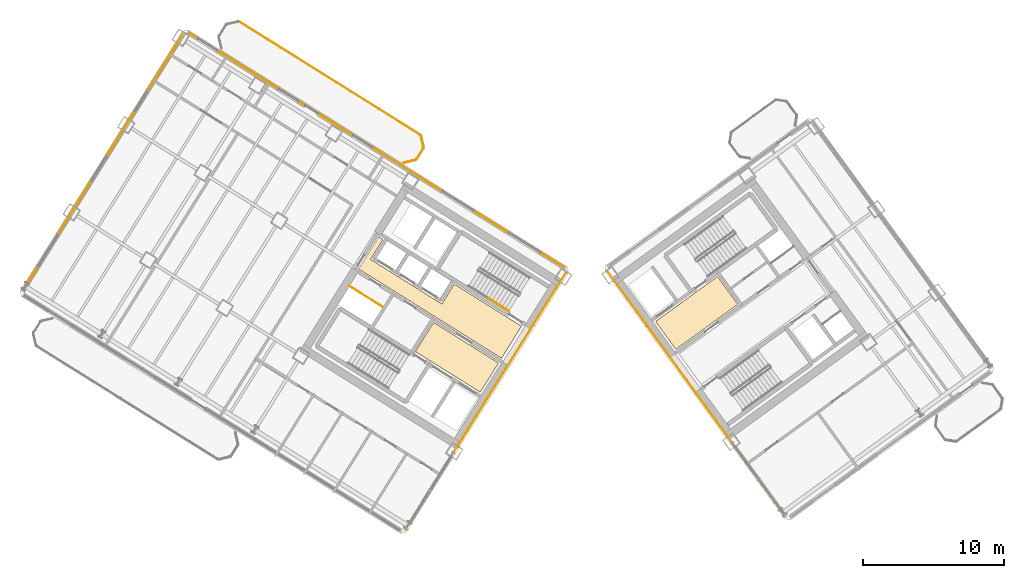
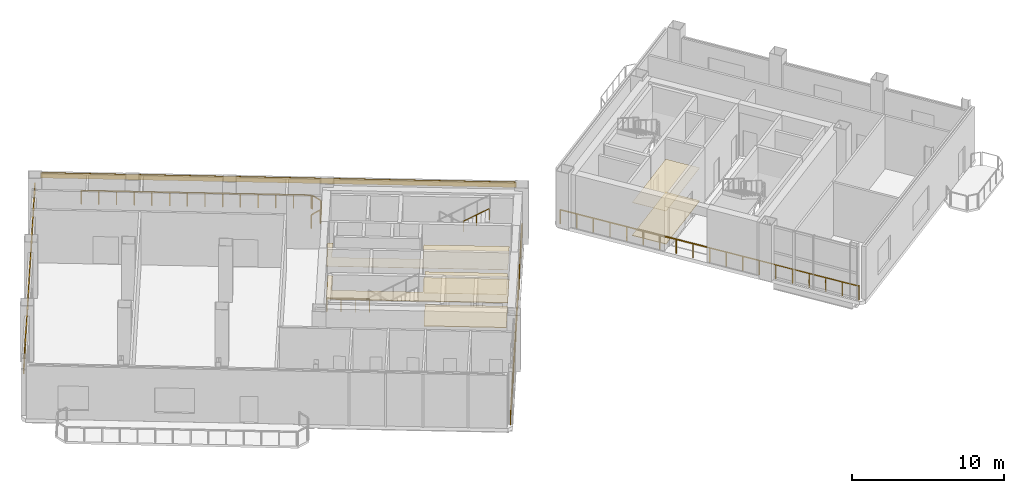
# One storey, part 15 of 18: 8 coverings, 8 railings.
"""IFC4 building model written with IfcOpenShell, lengths in metres."""

from ifc_helpers import new_model, si_unit, direction, frame, origin, origin_2d, place, context, subcontext, project, spatial, polyline, rectangle, outline, extrude, source, transform, mapped, material, layer, layer_set, type_object, element, save


model = new_model("IFC4")

# Units and contexts
model_context = context("Model", 3, precision=1e-05, world=origin(), true_north=direction((0.0, 1.0)))
body_context = subcontext(model_context, "Body", "Model", "MODEL_VIEW")
ifc_project = project(units=[si_unit("LENGTHUNIT", "METRE"), si_unit("AREAUNIT", "SQUARE_METRE"), si_unit("VOLUMEUNIT", "CUBIC_METRE"), si_unit("PLANEANGLEUNIT", "RADIAN"), si_unit("MASSUNIT", "GRAM", prefix="KILO")], contexts=[model_context])

# Site, building, storey
site_placement = place(None, origin())
site = spatial("IfcSite", under=ifc_project, at=site_placement, CompositionType="ELEMENT")
building_placement = place(site_placement, origin())
building = spatial("IfcBuilding", under=site, at=building_placement, Name="Tlacorven Tower", CompositionType="ELEMENT")
storey_placement = place(building_placement, frame((0.0, 0.0, 136.199951171875)))
storey = spatial("IfcBuildingStorey", under=building, at=storey_placement, Name="L34", CompositionType="ELEMENT", Elevation=136.199951171875)

# Coverings
ifc_material_1 = material(Name="Acoustic mineral-fibre ceiling")
ifc_layer_1 = layer(ifc_material_1, 0.02490234375)
ifc_layer_set_1 = layer_set([ifc_layer_1], Name="Acoustic mineral-fibre ceiling")
covering_type_1 = type_object("IfcCoveringType", Name="CV-CLG-ACST", PredefinedType="CEILING", material=ifc_layer_set_1)
covering_1_placement = place(storey_placement, frame((0.0, 0.0, 2.650146484375)))
element("IfcCovering", 1, at=covering_1_placement, inside=storey, type_object=covering_type_1, Name="L34 Acoustic Suspended Ceiling 1", PredefinedType="CEILING", context=body_context, shape_type="SweptSolid", body=[
    extrude(outline(polyline([(36.185302734375, 18.35595703125), (34.892333984375, 16.286865234375), (30.287353515625, 19.164306640625), (31.580322265625, 21.2333984375), (36.185302734375, 18.35595703125)])), origin(), (0.0, 0.0, 1.0), 0.02490234375),
])
covering_2_placement = place(storey_placement, frame((0.0, 0.0, 2.650146484375)))
element("IfcCovering", 2, at=covering_2_placement, inside=storey, type_object=covering_type_1, Name="L34 Acoustic Suspended Ceiling 2", PredefinedType="CEILING", context=body_context, shape_type="SweptSolid", body=[
    extrude(outline(polyline([(37.8173828125, 20.968017578125), (36.397216796875, 18.6953125), (26.271484375, 25.0224609375), (27.691650390625, 27.295166015625), (27.97998046875, 27.114990234375), (27.100341796875, 25.707275390625), (32.171630859375, 22.538330078125), (33.05126953125, 23.946044921875), (37.8173828125, 20.968017578125)])), origin(), (0.0, 0.0, 1.0), 0.02490234375),
])
covering_3_placement = place(storey_placement, frame((0.0, 0.0, 2.650146484375)))
element("IfcCovering", 3, at=covering_3_placement, inside=storey, type_object=covering_type_1, Name="L34 Acoustic Suspended Ceiling 3", PredefinedType="CEILING", context=body_context, shape_type="SweptSolid", body=[
    extrude(outline(polyline([(48.760498046875, 19.326171875), (47.326171875, 21.300048828125), (51.71923828125, 24.49169921875), (53.1533203125, 22.517822265625), (48.760498046875, 19.326171875)])), origin(), (0.0, 0.0, 1.0), 0.02490234375),
])
ifc_material_2 = material(Name="Terrazzo and ceramic flooring")
ifc_layer_2 = layer(ifc_material_2, 0.0400390625)
ifc_layer_set_2 = layer_set([ifc_layer_2], Name="Terrazzo and ceramic flooring")
covering_type_2 = type_object("IfcCoveringType", Name="CV-FLR-TERZ", PredefinedType="FLOORING", material=ifc_layer_set_2)
covering_4_placement = place(storey_placement, origin())
element("IfcCovering", 4, at=covering_4_placement, inside=storey, type_object=covering_type_2, Name="L34 Terrazzo Floor Finish 1", PredefinedType="FLOORING", context=body_context, shape_type="SweptSolid", body=[
    extrude(outline(polyline([(36.185302734375, 18.35595703125), (34.892333984375, 16.286865234375), (30.287353515625, 19.164306640625), (31.580322265625, 21.2333984375), (36.185302734375, 18.35595703125)])), origin(), (0.0, 0.0, 1.0), 0.0400390625),
])
covering_5_placement = place(storey_placement, origin())
element("IfcCovering", 5, at=covering_5_placement, inside=storey, type_object=covering_type_2, Name="L34 Terrazzo Floor Finish 2", PredefinedType="FLOORING", context=body_context, shape_type="SweptSolid", body=[
    extrude(outline(polyline([(37.8173828125, 20.968017578125), (36.397216796875, 18.6953125), (26.271484375, 25.0224609375), (27.691650390625, 27.295166015625), (27.97998046875, 27.114990234375), (27.100341796875, 25.707275390625), (32.171630859375, 22.538330078125), (33.05126953125, 23.946044921875), (37.8173828125, 20.968017578125)])), origin(), (0.0, 0.0, 1.0), 0.0400390625),
])
covering_6_placement = place(storey_placement, origin())
element("IfcCovering", 6, at=covering_6_placement, inside=storey, type_object=covering_type_2, Name="L34 Terrazzo Floor Finish 3", PredefinedType="FLOORING", context=body_context, shape_type="SweptSolid", body=[
    extrude(outline(polyline([(48.760498046875, 19.326171875), (47.326171875, 21.300048828125), (51.71923828125, 24.49169921875), (53.1533203125, 22.517822265625), (48.760498046875, 19.326171875)])), origin(), (0.0, 0.0, 1.0), 0.0400390625),
])

# Railings
ifc_material_3 = material(Name="Aluminium and painted steel balustrade", Category="steel")
railing_type_1 = type_object("IfcRailingType", Name="RL-GRD-1100", PredefinedType="GUARDRAIL", material=ifc_material_3)
shared_shape_1 = source(origin(), body_context, "Body", "SweptSolid", [
    extrude(rectangle(XDim=0.048095703125, YDim=0.048095703125, at=origin_2d()), frame((0.0, 0.0, 1.076171875), z_axis=(-0.848091358275, 0.529850024081, 0.0), x_axis=(-0.529850024081, -0.848091358275, 0.0)), (0.0, 0.0, 1.0), 2.800048828125),
    extrude(rectangle(XDim=0.0419921875, YDim=0.0419921875, at=origin_2d()), origin(), (0.0, 0.0, 1.0), 1.052001953125),
    extrude(rectangle(XDim=0.0419921875, YDim=0.0419921875, at=origin_2d()), frame((-0.79150390625, 0.49462890625, 0.0)), (0.0, 0.0, 1.0), 1.052001953125),
    extrude(rectangle(XDim=0.0419921875, YDim=0.0419921875, at=origin_2d()), frame((-1.583251953125, 0.989013671875, 0.0)), (0.0, 0.0, 1.0), 1.052001953125),
    extrude(rectangle(XDim=0.0419921875, YDim=0.0419921875, at=origin_2d()), frame((-2.374755859375, 1.483642578125, 0.0)), (0.0, 0.0, 1.0), 1.052001953125),
])
railing_1_placement = place(storey_placement, frame((27.9912109375, 22.32080078125, 0.0)))
element("IfcRailing", 7, at=railing_1_placement, inside=storey, type_object=railing_type_1, Name="L34 Electrical Riser W Shaft Guard 1", PredefinedType="GUARDRAIL", context=body_context, shape_type="MappedRepresentation", body=[
    mapped(shared_shape_1, transform((0.0, 0.0, 0.0), scale=1.0)),
])
railing_type_2 = type_object("IfcRailingType", Name="RL-BAL-1100", PredefinedType="BALUSTRADE", material=ifc_material_3)
shared_shape_2 = source(origin(), body_context, "Body", "SweptSolid", [
    extrude(rectangle(XDim=0.048095703125, YDim=0.048095703125, at=origin_2d()), frame((0.0, 0.0, 1.076171875), z_axis=(0.225058334816, -0.974345290916, 0.0), x_axis=(0.974345290916, 0.225058334816, 0.0)), (0.0, 0.0, 1.0), 0.80712890625),
    extrude(rectangle(XDim=0.0419921875, YDim=0.0419921875, at=origin_2d()), origin(), (0.0, 0.0, 1.0), 1.052001953125),
    extrude(rectangle(XDim=0.0419921875, YDim=0.0419921875, at=origin_2d()), frame((0.181640625, -0.786376953125, 0.0)), (0.0, 0.0, 1.0), 1.052001953125),
])
railing_2_placement = place(storey_placement, frame((30.6796875, 34.466064453125, 0.0)))
element("IfcRailing", 8, at=railing_2_placement, inside=storey, type_object=railing_type_2, Name="BAL-L34-W-IN Guard Railing 1", PredefinedType="BALUSTRADE", context=body_context, shape_type="MappedRepresentation", body=[
    mapped(shared_shape_2, transform((0.0, 0.0, 0.0), scale=1.0)),
])
shared_shape_3 = source(origin(), body_context, "Body", "SweptSolid", [
    extrude(rectangle(XDim=0.048095703125, YDim=0.048095703125, at=origin_2d()), frame((0.0, 0.0, 1.076171875), z_axis=(-0.52987865805, -0.848073468364, 0.0), x_axis=(0.848073468364, -0.52987865805, 0.0)), (0.0, 0.0, 1.0), 0.912353515625),
    extrude(rectangle(XDim=0.0419921875, YDim=0.0419921875, at=origin_2d()), origin(), (0.0, 0.0, 1.0), 1.052001953125),
    extrude(rectangle(XDim=0.0419921875, YDim=0.0419921875, at=origin_2d()), frame((-0.4833984375, -0.773681640625, 0.0)), (0.0, 0.0, 1.0), 1.052001953125),
])
railing_3_placement = place(storey_placement, frame((30.845947265625, 33.588623046875, 0.0)))
element("IfcRailing", 9, at=railing_3_placement, inside=storey, type_object=railing_type_2, Name="BAL-L34-W-IN Guard Railing 2", PredefinedType="BALUSTRADE", context=body_context, shape_type="MappedRepresentation", body=[
    mapped(shared_shape_3, transform((0.0, 0.0, 0.0), scale=1.0)),
])
shared_shape_4 = source(origin(), body_context, "Body", "SweptSolid", [
    extrude(rectangle(XDim=0.048095703125, YDim=0.048095703125, at=origin_2d()), frame((0.0, 0.0, 1.076171875), z_axis=(-0.974345290916, -0.225058334816, 0.0), x_axis=(0.225058334816, -0.974345290916, 0.0)), (0.0, 0.0, 1.0), 0.80712890625),
    extrude(rectangle(XDim=0.0419921875, YDim=0.0419921875, at=origin_2d()), origin(), (0.0, 0.0, 1.0), 1.052001953125),
    extrude(rectangle(XDim=0.0419921875, YDim=0.0419921875, at=origin_2d()), frame((-0.786376953125, -0.181640625, 0.0)), (0.0, 0.0, 1.0), 1.052001953125),
])
railing_4_placement = place(storey_placement, frame((30.287353515625, 32.761474609375, 0.0)))
element("IfcRailing", 10, at=railing_4_placement, inside=storey, type_object=railing_type_2, Name="BAL-L34-W-IN Guard Railing 3", PredefinedType="BALUSTRADE", context=body_context, shape_type="MappedRepresentation", body=[
    mapped(shared_shape_4, transform((0.0, 0.0, 0.0), scale=1.0)),
])
shared_shape_5 = source(origin(), body_context, "Body", "SweptSolid", [
    extrude(rectangle(XDim=0.048095703125, YDim=0.048095703125, at=origin_2d()), frame((0.0, 0.0, 1.076171875), z_axis=(0.848044572804, -0.529924902733, 0.0), x_axis=(0.529924902733, 0.848044572804, 0.0)), (0.0, 0.0, 1.0), 15.1171875),
    extrude(rectangle(XDim=0.0419921875, YDim=0.0419921875, at=origin_2d()), origin(), (0.0, 0.0, 1.0), 1.052001953125),
    extrude(rectangle(XDim=0.0419921875, YDim=0.0419921875, at=origin_2d()), frame((0.986083984375, -0.6162109375, 0.0)), (0.0, 0.0, 1.0), 1.052001953125),
    extrude(rectangle(XDim=0.0419921875, YDim=0.0419921875, at=origin_2d()), frame((1.972412109375, -1.232421875, 0.0)), (0.0, 0.0, 1.0), 1.052001953125),
    extrude(rectangle(XDim=0.0419921875, YDim=0.0419921875, at=origin_2d()), frame((2.95849609375, -1.8486328125, 0.0)), (0.0, 0.0, 1.0), 1.052001953125),
    extrude(rectangle(XDim=0.0419921875, YDim=0.0419921875, at=origin_2d()), frame((3.944580078125, -2.46484375, 0.0)), (0.0, 0.0, 1.0), 1.052001953125),
    extrude(rectangle(XDim=0.0419921875, YDim=0.0419921875, at=origin_2d()), frame((4.930908203125, -3.0810546875, 0.0)), (0.0, 0.0, 1.0), 1.052001953125),
    extrude(rectangle(XDim=0.0419921875, YDim=0.0419921875, at=origin_2d()), frame((5.9169921875, -3.697265625, 0.0)), (0.0, 0.0, 1.0), 1.052001953125),
    extrude(rectangle(XDim=0.0419921875, YDim=0.0419921875, at=origin_2d()), frame((6.903076171875, -4.313720703125, 0.0)), (0.0, 0.0, 1.0), 1.052001953125),
    extrude(rectangle(XDim=0.0419921875, YDim=0.0419921875, at=origin_2d()), frame((7.88916015625, -4.929931640625, 0.0)), (0.0, 0.0, 1.0), 1.052001953125),
    extrude(rectangle(XDim=0.0419921875, YDim=0.0419921875, at=origin_2d()), frame((8.87548828125, -5.546142578125, 0.0)), (0.0, 0.0, 1.0), 1.052001953125),
    extrude(rectangle(XDim=0.0419921875, YDim=0.0419921875, at=origin_2d()), frame((9.861572265625, -6.162353515625, 0.0)), (0.0, 0.0, 1.0), 1.052001953125),
    extrude(rectangle(XDim=0.0419921875, YDim=0.0419921875, at=origin_2d()), frame((10.84765625, -6.778564453125, 0.0)), (0.0, 0.0, 1.0), 1.052001953125),
    extrude(rectangle(XDim=0.0419921875, YDim=0.0419921875, at=origin_2d()), frame((11.833984375, -7.394775390625, 0.0)), (0.0, 0.0, 1.0), 1.052001953125),
    extrude(rectangle(XDim=0.0419921875, YDim=0.0419921875, at=origin_2d()), frame((12.820068359375, -8.010986328125, 0.0)), (0.0, 0.0, 1.0), 1.052001953125),
])
railing_5_placement = place(storey_placement, frame((17.805908203125, 42.55224609375, 0.0)))
element("IfcRailing", 11, at=railing_5_placement, inside=storey, type_object=railing_type_2, Name="BAL-L34-W-IN Guard Railing 7", PredefinedType="BALUSTRADE", context=body_context, shape_type="MappedRepresentation", body=[
    mapped(shared_shape_5, transform((0.0, 0.0, 0.0), scale=1.0)),
])

# Coverings
ifc_material_4 = material(Name="Precast concrete C45/55", Category="concrete")
ifc_layer_3 = layer(ifc_material_4, 0.06005859375)
ifc_layer_set_3 = layer_set([ifc_layer_3], Name="Precast concrete C45/55")
covering_type_3 = type_object("IfcCoveringType", Name="CV-CLD-TERC", PredefinedType="CLADDING", material=ifc_layer_set_3)
shared_shape_6 = source(origin(), body_context, "Body", "SweptSolid", [
    extrude(rectangle(XDim=31.287353515625, YDim=0.06005859375, at=origin_2d()), origin(), (0.0, 0.0, 1.0), 0.419921875),
])
covering_7_placement = place(storey_placement, frame((27.5322265625, 33.455810546875, 3.830078125), z_axis=(0.0, 0.0, 1.0), x_axis=(0.84804812172, -0.529919223323, 0.0)))
element("IfcCovering", 12, at=covering_7_placement, inside=storey, type_object=covering_type_3, Name="L34 Masonry-Frame Spandrel Cladding 3", PredefinedType="CLADDING", context=body_context, shape_type="MappedRepresentation", body=[
    mapped(shared_shape_6, transform((0.0, 0.0, 0.0), scale=1.0)),
])
shared_shape_7 = source(origin(), body_context, "Body", "SweptSolid", [
    extrude(rectangle(XDim=21.287353515625, YDim=0.06005859375, at=origin_2d()), origin(), (0.0, 0.0, 1.0), 0.419921875),
])
covering_8_placement = place(storey_placement, frame((8.13427734375, 32.606201171875, 3.255126953125), z_axis=(0.0, 0.0, 1.0), x_axis=(0.529918940959, 0.84804829816, 0.0)))
element("IfcCovering", 13, at=covering_8_placement, inside=storey, type_object=covering_type_3, Name="L34 Masonry-Frame Spandrel Cladding 2", PredefinedType="CLADDING", context=body_context, shape_type="MappedRepresentation", body=[
    mapped(shared_shape_7, transform((0.0, 0.0, 0.0), scale=1.0)),
])

# Railings
railing_type_3 = type_object("IfcRailingType", Name="RL-GRD-1150", PredefinedType="GUARDRAIL", material=ifc_material_3)
shared_shape_8 = source(origin(), body_context, "Body", "SweptSolid", [
    extrude(rectangle(XDim=0.048095703125, YDim=0.048095703125, at=origin_2d()), frame((0.0, 0.0, 1.1259765625), z_axis=(-0.529922340282, -0.84804617402, 0.0), x_axis=(0.84804617402, -0.529922340282, 0.0)), (0.0, 0.0, 1.0), 21.487548828125),
    extrude(rectangle(XDim=0.0419921875, YDim=0.0419921875, at=origin_2d()), origin(), (0.0, 0.0, 1.0), 1.101806640625),
    extrude(rectangle(XDim=0.0419921875, YDim=0.0419921875, at=origin_2d()), frame((-0.632568359375, -1.012451171875, 0.0)), (0.0, 0.0, 1.0), 1.101806640625),
    extrude(rectangle(XDim=0.0419921875, YDim=0.0419921875, at=origin_2d()), frame((-1.26513671875, -2.024658203125, 0.0)), (0.0, 0.0, 1.0), 1.101806640625),
    extrude(rectangle(XDim=0.0419921875, YDim=0.0419921875, at=origin_2d()), frame((-1.897705078125, -3.037109375, 0.0)), (0.0, 0.0, 1.0), 1.101806640625),
    extrude(rectangle(XDim=0.0419921875, YDim=0.0419921875, at=origin_2d()), frame((-2.5302734375, -4.04931640625, 0.0)), (0.0, 0.0, 1.0), 1.101806640625),
    extrude(rectangle(XDim=0.0419921875, YDim=0.0419921875, at=origin_2d()), frame((-3.1630859375, -5.061767578125, 0.0)), (0.0, 0.0, 1.0), 1.101806640625),
    extrude(rectangle(XDim=0.0419921875, YDim=0.0419921875, at=origin_2d()), frame((-3.795654296875, -6.07421875, 0.0)), (0.0, 0.0, 1.0), 1.101806640625),
    extrude(rectangle(XDim=0.0419921875, YDim=0.0419921875, at=origin_2d()), frame((-4.42822265625, -7.08642578125, 0.0)), (0.0, 0.0, 1.0), 1.101806640625),
    extrude(rectangle(XDim=0.0419921875, YDim=0.0419921875, at=origin_2d()), frame((-5.060791015625, -8.098876953125, 0.0)), (0.0, 0.0, 1.0), 1.101806640625),
    extrude(rectangle(XDim=0.0419921875, YDim=0.0419921875, at=origin_2d()), frame((-5.693359375, -9.111328125, 0.0)), (0.0, 0.0, 1.0), 1.101806640625),
    extrude(rectangle(XDim=0.0419921875, YDim=0.0419921875, at=origin_2d()), frame((-6.325927734375, -10.12353515625, 0.0)), (0.0, 0.0, 1.0), 1.101806640625),
    extrude(rectangle(XDim=0.0419921875, YDim=0.0419921875, at=origin_2d()), frame((-6.95849609375, -11.135986328125, 0.0)), (0.0, 0.0, 1.0), 1.101806640625),
    extrude(rectangle(XDim=0.0419921875, YDim=0.0419921875, at=origin_2d()), frame((-7.591064453125, -12.148193359375, 0.0)), (0.0, 0.0, 1.0), 1.101806640625),
    extrude(rectangle(XDim=0.0419921875, YDim=0.0419921875, at=origin_2d()), frame((-8.2236328125, -13.16064453125, 0.0)), (0.0, 0.0, 1.0), 1.101806640625),
    extrude(rectangle(XDim=0.0419921875, YDim=0.0419921875, at=origin_2d()), frame((-8.8564453125, -14.173095703125, 0.0)), (0.0, 0.0, 1.0), 1.101806640625),
    extrude(rectangle(XDim=0.0419921875, YDim=0.0419921875, at=origin_2d()), frame((-9.489013671875, -15.185302734375, 0.0)), (0.0, 0.0, 1.0), 1.101806640625),
    extrude(rectangle(XDim=0.0419921875, YDim=0.0419921875, at=origin_2d()), frame((-10.12158203125, -16.19775390625, 0.0)), (0.0, 0.0, 1.0), 1.101806640625),
    extrude(rectangle(XDim=0.0419921875, YDim=0.0419921875, at=origin_2d()), frame((-10.754150390625, -17.2099609375, 0.0)), (0.0, 0.0, 1.0), 1.101806640625),
    extrude(rectangle(XDim=0.0419921875, YDim=0.0419921875, at=origin_2d()), frame((-11.38671875, -18.222412109375, 0.0)), (0.0, 0.0, 1.0), 1.101806640625),
])
railing_6_placement = place(storey_placement, frame((40.965087890625, 24.760009765625, 0.0)))
element("IfcRailing", 14, at=railing_6_placement, inside=storey, type_object=railing_type_3, Name="L34 Void-Portal Atrium Guard 1", PredefinedType="GUARDRAIL", context=body_context, shape_type="MappedRepresentation", body=[
    mapped(shared_shape_8, transform((0.0, 0.0, 0.0), scale=1.0)),
])
shared_shape_9 = source(origin(), body_context, "Body", "SweptSolid", [
    extrude(rectangle(XDim=0.048095703125, YDim=0.048095703125, at=origin_2d()), frame((0.0, 0.0, 1.1259765625), z_axis=(-0.587792632144, 0.809011632547, 0.0), x_axis=(-0.809011632547, -0.587792632144, 0.0)), (0.0, 0.0, 1.0), 21.4873046875),
    extrude(rectangle(XDim=0.0419921875, YDim=0.0419921875, at=origin_2d()), origin(), (0.0, 0.0, 1.0), 1.101806640625),
    extrude(rectangle(XDim=0.0419921875, YDim=0.0419921875, at=origin_2d()), frame((-0.70166015625, 0.9658203125, 0.0)), (0.0, 0.0, 1.0), 1.101806640625),
    extrude(rectangle(XDim=0.0419921875, YDim=0.0419921875, at=origin_2d()), frame((-1.4033203125, 1.931396484375, 0.0)), (0.0, 0.0, 1.0), 1.101806640625),
    extrude(rectangle(XDim=0.0419921875, YDim=0.0419921875, at=origin_2d()), frame((-2.10498046875, 2.897216796875, 0.0)), (0.0, 0.0, 1.0), 1.101806640625),
    extrude(rectangle(XDim=0.0419921875, YDim=0.0419921875, at=origin_2d()), frame((-2.806640625, 3.863037109375, 0.0)), (0.0, 0.0, 1.0), 1.101806640625),
    extrude(rectangle(XDim=0.0419921875, YDim=0.0419921875, at=origin_2d()), frame((-3.50830078125, 4.828857421875, 0.0)), (0.0, 0.0, 1.0), 1.101806640625),
    extrude(rectangle(XDim=0.0419921875, YDim=0.0419921875, at=origin_2d()), frame((-4.2099609375, 5.79443359375, 0.0)), (0.0, 0.0, 1.0), 1.101806640625),
    extrude(rectangle(XDim=0.0419921875, YDim=0.0419921875, at=origin_2d()), frame((-4.91162109375, 6.76025390625, 0.0)), (0.0, 0.0, 1.0), 1.101806640625),
    extrude(rectangle(XDim=0.0419921875, YDim=0.0419921875, at=origin_2d()), frame((-5.61328125, 7.72607421875, 0.0)), (0.0, 0.0, 1.0), 1.101806640625),
    extrude(rectangle(XDim=0.0419921875, YDim=0.0419921875, at=origin_2d()), frame((-6.31494140625, 8.69189453125, 0.0)), (0.0, 0.0, 1.0), 1.101806640625),
    extrude(rectangle(XDim=0.0419921875, YDim=0.0419921875, at=origin_2d()), frame((-7.016845703125, 9.657470703125, 0.0)), (0.0, 0.0, 1.0), 1.101806640625),
    extrude(rectangle(XDim=0.0419921875, YDim=0.0419921875, at=origin_2d()), frame((-7.718505859375, 10.623291015625, 0.0)), (0.0, 0.0, 1.0), 1.101806640625),
    extrude(rectangle(XDim=0.0419921875, YDim=0.0419921875, at=origin_2d()), frame((-8.420166015625, 11.589111328125, 0.0)), (0.0, 0.0, 1.0), 1.101806640625),
    extrude(rectangle(XDim=0.0419921875, YDim=0.0419921875, at=origin_2d()), frame((-9.121826171875, 12.5546875, 0.0)), (0.0, 0.0, 1.0), 1.101806640625),
    extrude(rectangle(XDim=0.0419921875, YDim=0.0419921875, at=origin_2d()), frame((-9.823486328125, 13.5205078125, 0.0)), (0.0, 0.0, 1.0), 1.101806640625),
    extrude(rectangle(XDim=0.0419921875, YDim=0.0419921875, at=origin_2d()), frame((-10.525146484375, 14.486328125, 0.0)), (0.0, 0.0, 1.0), 1.101806640625),
    extrude(rectangle(XDim=0.0419921875, YDim=0.0419921875, at=origin_2d()), frame((-11.226806640625, 15.4521484375, 0.0)), (0.0, 0.0, 1.0), 1.101806640625),
    extrude(rectangle(XDim=0.0419921875, YDim=0.0419921875, at=origin_2d()), frame((-11.928466796875, 16.417724609375, 0.0)), (0.0, 0.0, 1.0), 1.101806640625),
    extrude(rectangle(XDim=0.0419921875, YDim=0.0419921875, at=origin_2d()), frame((-12.630126953125, 17.383544921875, 0.0)), (0.0, 0.0, 1.0), 1.101806640625),
])
railing_7_placement = place(storey_placement, frame((56.5517578125, 7.4794921875, 0.0)))
element("IfcRailing", 15, at=railing_7_placement, inside=storey, type_object=railing_type_3, Name="L34 Void-Portal Atrium Guard 1", PredefinedType="GUARDRAIL", context=body_context, shape_type="MappedRepresentation", body=[
    mapped(shared_shape_9, transform((0.0, 0.0, 0.0), scale=1.0)),
])
railing_type_4 = type_object("IfcRailingType", Name="RL-HND-0900", PredefinedType="HANDRAIL", material=ifc_material_3)
shared_shape_10 = source(origin(), body_context, "Body", "SweptSolid", [
    extrude(rectangle(XDim=0.048095703125, YDim=0.048095703125, at=origin_2d()), frame((0.0, 0.0, 0.8759765625), z_axis=(0.721387654753, -0.450805479247, 0.525713107551), x_axis=(0.529946692594, 0.848030956397, 0.0)), (0.0, 0.0, 1.0), 1.97509765625),
    extrude(rectangle(XDim=0.0419921875, YDim=0.0419921875, at=origin_2d()), origin(), (0.0, 0.0, 1.0), 0.851806640625),
    extrude(rectangle(XDim=0.0419921875, YDim=0.0419921875, at=origin_2d()), frame((0.71240234375, -0.4453125, 0.51904296875)), (0.0, 0.0, 1.0), 0.851806640625),
    extrude(rectangle(XDim=0.0419921875, YDim=0.0419921875, at=origin_2d()), frame((1.4248046875, -0.890380859375, 1.038330078125)), (0.0, 0.0, 1.0), 0.851806640625),
])
railing_8_placement = place(storey_placement, frame((35.49267578125, 22.927734375, 3.461669921875)))
element("IfcRailing", 16, at=railing_8_placement, inside=storey, type_object=railing_type_4, Name="L34 ST-W2 stair handrail 4", PredefinedType="HANDRAIL", context=body_context, shape_type="MappedRepresentation", body=[
    mapped(shared_shape_10, transform((0.0, 0.0, 0.0), scale=1.0)),
])

save(model, "model.ifc")
